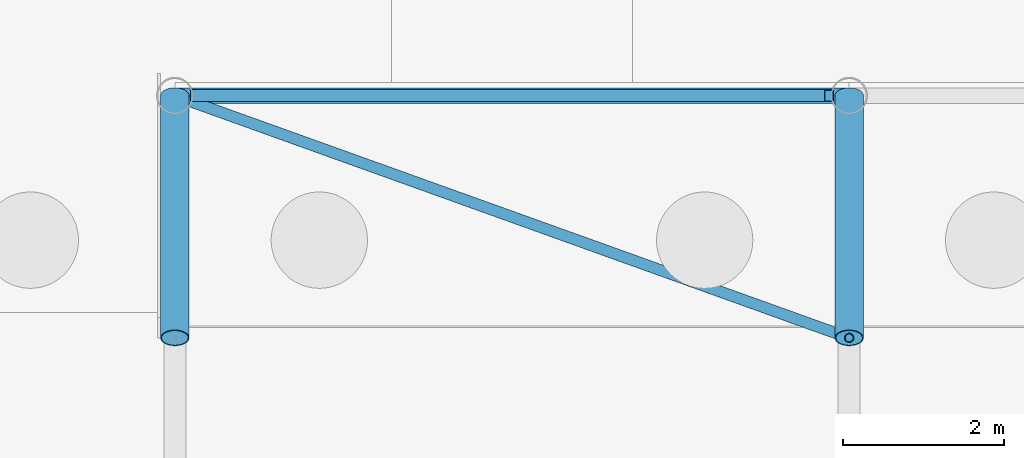
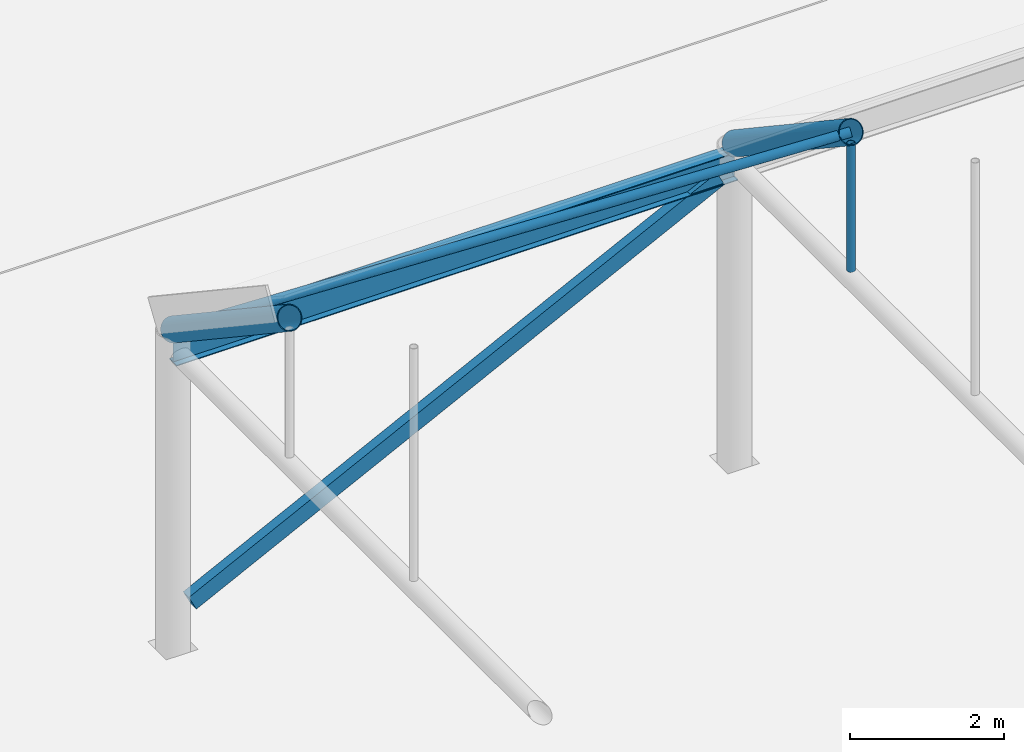
# One storey, part 48 of 212: 5 members, 1 beam.
"""IFC4 building model written with IfcOpenShell, lengths in metres."""

from ifc_helpers import new_model, si_unit, direction, frame, origin, origin_2d, place, context, subcontext, project, spatial, hollow_rectangle, hollow_circle, i_section, extrude, material, material_profile, profile_set, type_object, element, save


model = new_model("IFC4")

# Units and contexts
model_context = context("Model", 3, precision=1e-05, world=origin(), true_north=direction((0.0, 1.0)))
body_context = subcontext(model_context, "Body", "Model", "MODEL_VIEW")
ifc_project = project(units=[si_unit("LENGTHUNIT", "METRE"), si_unit("AREAUNIT", "SQUARE_METRE"), si_unit("VOLUMEUNIT", "CUBIC_METRE"), si_unit("PLANEANGLEUNIT", "RADIAN"), si_unit("MASSUNIT", "GRAM", prefix="KILO")], contexts=[model_context])

# Site, building, storey
site_placement = place(None, origin())
site = spatial("IfcSite", under=ifc_project, at=site_placement, CompositionType="ELEMENT")
building_placement = place(site_placement, origin())
building = spatial("IfcBuilding", under=site, at=building_placement, Name="Catenary Quay Ferry Terminal", CompositionType="ELEMENT")
storey_placement = place(building_placement, origin())
storey = spatial("IfcBuildingStorey", under=building, at=storey_placement, Name="L00", CompositionType="ELEMENT", Elevation=0.0)

# Beam
ifc_material_1 = material(Name="Steel S355", Category="steel")
ifc_material_profile_1 = material_profile(ifc_material_1, i_section(OverallWidth=0.18994140625, OverallDepth=0.453369140625, WebThickness=0.008544921875, FlangeThickness=0.0126953125, at=origin_2d()), Name="UB 457x191x67")
ifc_profile_set_1 = profile_set([ifc_material_profile_1], Name="Steel S355")
beam_type = type_object("IfcBeamType", Name="B1 UB 457x191x67", PredefinedType="BEAM", material=ifc_profile_set_1)
beam_placement = place(storey_placement, frame((16.800048828125, 50.39990234375, 4.699951171875), z_axis=(1.0, 0.0, 0.0), x_axis=(0.0, 1.0, 0.0)))
element("IfcBeam", 1, at=beam_placement, inside=storey, type_object=beam_type, Name="Eaves beam B-CA7-1", PredefinedType="BEAM", context=body_context, shape_type="SweptSolid", body=[
    extrude(i_section(OverallWidth=0.18994140625, OverallDepth=0.453369140625, WebThickness=0.008544921875, FlangeThickness=0.0126953125, at=origin_2d()), origin(), (0.0, 0.0, 1.0), 8.39990234375),
])

# Members
ifc_material_2 = material(Name="Steel S355", Category="steel")
ifc_material_profile_2 = material_profile(ifc_material_2, hollow_circle(Radius=0.06982421875, WallThickness=0.008056640625, at=origin_2d()), Name="CHS 139.7x8")
ifc_profile_set_2 = profile_set([ifc_material_profile_2], Name="Steel S355")
member_type_1 = type_object("IfcMemberType", Name="BR1 CHS 139.7x8", PredefinedType="BRACE", material=ifc_profile_set_2)
member_1_placement = place(storey_placement, frame((25.199951171875, 47.382080078125, 7.012939453125), z_axis=(-0.918054314923, 0.32979893154, -0.22002031635), x_axis=(-0.338083571488, -0.941116092036, 0.0)))
element("IfcMember", 2, at=member_1_placement, inside=storey, type_object=member_type_1, Name="Roof brace BR-CA-01-10", PredefinedType="BRACE", context=body_context, shape_type="SweptSolid", body=[
    extrude(hollow_circle(Radius=0.06982421875, WallThickness=0.008056640625, at=origin_2d()), origin(), (0.0, 0.0, 1.0), 8.96240234375),
])
ifc_material_3 = material(Name="Steel S355", Category="steel")
ifc_material_profile_3 = material_profile(ifc_material_3, hollow_rectangle(XDim=0.14990234375, YDim=0.25, WallThickness=0.010009765625, at=origin_2d()), Name="RHS 250x150x10")
ifc_profile_set_3 = profile_set([ifc_material_profile_3], Name="Steel S355")
member_type_2 = type_object("IfcMemberType", Name="BR2 RHS 250x150x10", PredefinedType="BRACE", material=ifc_profile_set_3)
member_2_placement = place(storey_placement, frame((17.050048828125, 50.39990234375, 0.625), z_axis=(0.894427191, 0.0, 0.4472135955), x_axis=(0.0, 1.0, 0.0)))
element("IfcMember", 3, at=member_2_placement, inside=storey, type_object=member_type_2, Name="Wall brace BR-CA7-1", PredefinedType="BRACE", context=body_context, shape_type="SweptSolid", body=[
    extrude(hollow_rectangle(XDim=0.14990234375, YDim=0.25, WallThickness=0.010009765625, at=origin_2d()), origin(), (0.0, 0.0, 1.0), 8.832275390625),
])
ifc_material_4 = material(Name="Steel S355", Category="steel")
ifc_material_profile_4 = material_profile(ifc_material_4, hollow_circle(Radius=0.05712890625, WallThickness=0.00634765625, at=origin_2d()), Name="CHS 114.3x6.3")
ifc_profile_set_4 = profile_set([ifc_material_profile_4], Name="Steel S355")
member_type_3 = type_object("IfcMemberType", Name="HG1 CHS 114.3x6.3", PredefinedType="POST", material=ifc_profile_set_4)
member_3_placement = place(storey_placement, frame((25.199951171875, 47.382080078125, 4.830078125), z_axis=(0.0, 0.0, 1.0), x_axis=(1.0, 0.0, 0.0)))
element("IfcMember", 4, at=member_3_placement, inside=storey, type_object=member_type_3, Name="Hanger CA-02-09", PredefinedType="POST", context=body_context, shape_type="SweptSolid", body=[
    extrude(hollow_circle(Radius=0.05712890625, WallThickness=0.00634765625, at=origin_2d()), origin(), (0.0, 0.0, 1.0), 2.010986328125),
])
ifc_material_5 = material(Name="Steel S355", Category="steel")
ifc_material_profile_5 = material_profile(ifc_material_5, hollow_circle(Radius=0.177734375, WallThickness=0.012451171875, at=origin_2d()), Name="CHS 355.6x12.5")
ifc_profile_set_5 = profile_set([ifc_material_profile_5], Name="Steel S355")
member_type_4 = type_object("IfcMemberType", Name="VR1 CHS 355.6x12.5", PredefinedType="RAFTER", material=ifc_profile_set_5)
for number, where, z_axis, x_axis, name in (
    (5, (16.800048828125, 47.382080078125, 7.012939453125), (0.0, 0.831915666545, -0.554902084837), (-1.0, 0.0, 0.0), "rib CA-01-10"),
    (6, (25.199951171875, 47.382080078125, 7.012939453125), (0.0, 0.831915666545, -0.554902084837), (-1.0, 0.0, 0.0), "rib CA-02-10"),
):
    element("IfcMember", number, at=place(storey_placement, frame(where, z_axis=z_axis, x_axis=x_axis)), inside=storey, type_object=member_type_4, Name=name, PredefinedType="RAFTER", context=body_context, shape_type="SweptSolid", body=[
        extrude(hollow_circle(Radius=0.177734375, WallThickness=0.012451171875, at=origin_2d()), origin(), (0.0, 0.0, 1.0), 3.62744140625),
    ])

save(model, "model.ifc")
